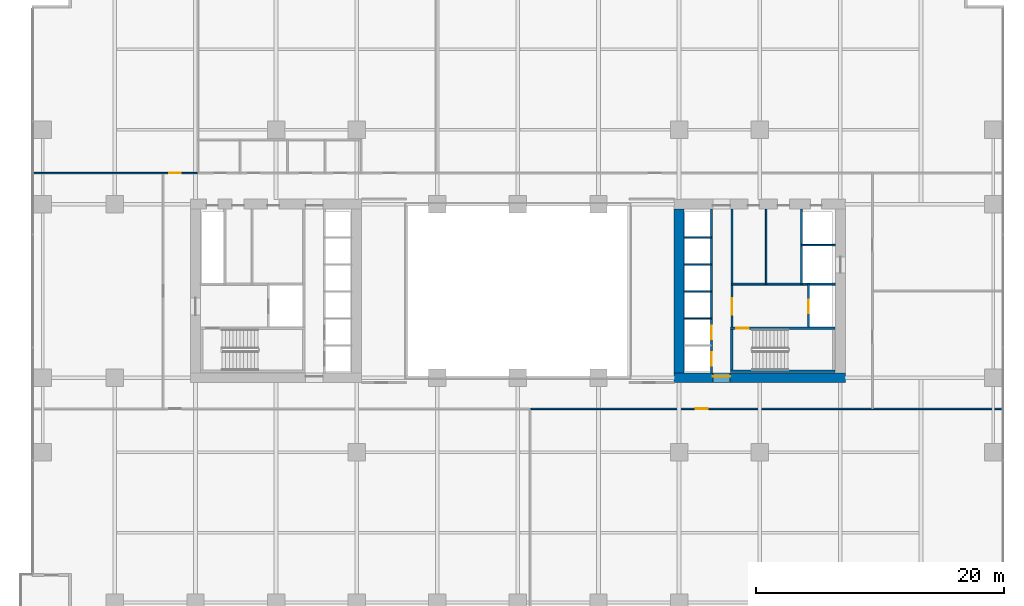
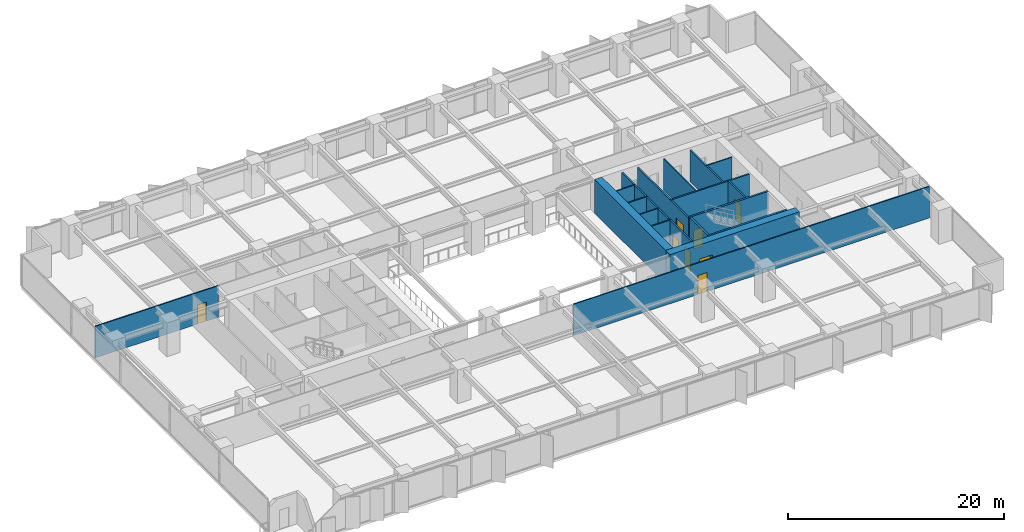
# One storey, part 14 of 20: 18 walls, 8 doors, 8 openings.
"""IFC4 building model written with IfcOpenShell, lengths in metres."""

from ifc_helpers import new_model, si_unit, direction, frame, frame_2d, origin, place, context, subcontext, project, spatial, rectangle, extrude, material, layer, layer_set, type_object, element, fill, save


model = new_model("IFC4")

# Units and contexts
model_context = context("Model", 3, precision=1e-05, world=origin(), true_north=direction((0.0, 1.0)))
body_context = subcontext(model_context, "Body", "Model", "MODEL_VIEW")
ifc_project = project(units=[si_unit("LENGTHUNIT", "METRE"), si_unit("AREAUNIT", "SQUARE_METRE"), si_unit("VOLUMEUNIT", "CUBIC_METRE"), si_unit("PLANEANGLEUNIT", "RADIAN"), si_unit("MASSUNIT", "GRAM", prefix="KILO")], contexts=[model_context])

# Site, building, storey
site_placement = place(None, origin())
site = spatial("IfcSite", under=ifc_project, at=site_placement, CompositionType="ELEMENT")
building_placement = place(site_placement, origin())
building = spatial("IfcBuilding", under=site, at=building_placement, Name="Putna Gate Headquarters", CompositionType="ELEMENT")
storey_placement = place(building_placement, frame((0.0, 0.0, 27.800048828125)))
storey = spatial("IfcBuildingStorey", under=building, at=storey_placement, Name="L05", CompositionType="ELEMENT", Elevation=27.800048828125)

# Wall, opening, door
ifc_material_1 = material(Name="Concrete C60/75", Category="concrete")
ifc_layer_1 = layer(ifc_material_1, 0.800048828125)
ifc_layer_set_1 = layer_set([ifc_layer_1], Name="Concrete C60/75")
wall_type_1 = type_object("IfcWallType", Name="WALL-CORE-800", PredefinedType="SHEAR", material=ifc_layer_set_1)
wall_1_placement = place(storey_placement, frame((51.60009765625, 19.0, 0.0), z_axis=(0.0, 0.0, 1.0), x_axis=(1.0, 0.0, 0.0)))
wall_1 = element("IfcWall", 1, at=wall_1_placement, inside=storey, type_object=wall_type_1, Name="L05 EC Split Core Shear Wall S", PredefinedType="SHEAR", context=body_context, shape_type="SweptSolid", body=[
    extrude(rectangle(XDim=13.7998046875, YDim=0.800048828125, at=frame_2d((6.89990234375, 0.0))), origin(), (0.0, 0.0, 1.0), 3.800048828125),
])
opening_1_placement = place(wall_1_placement, frame((3.1201171875, 0.0, 0.0)))
opening_1 = element("IfcOpeningElement", 2, at=opening_1_placement, cuts=wall_1, Name="Opening FDD-140", PredefinedType="OPENING", context=body_context, shape_type="SweptSolid", body=[
    extrude(rectangle(XDim=1.39990234375, YDim=2.199951171875, at=frame_2d((0.699951171875, 1.10009765625))), frame((0.0, 0.409912109375, 0.0), z_axis=(0.0, -1.0, 0.0), x_axis=(1.0, 0.0, 0.0)), (0.0, 0.0, 1.0), 0.820068359375),
])
ifc_material_2 = material(Name="Double steel fire door", Category="steel")
door_type_1 = type_object("IfcDoorType", Name="DOOR-FIRE-DBL-1400", OperationType="DOUBLE_DOOR_SINGLE_SWING", PredefinedType="DOOR", material=ifc_material_2)
door_1_placement = place(opening_1_placement, origin())
door_1 = element("IfcDoor", 3, at=door_1_placement, inside=storey, type_object=door_type_1, Name="L05 East Lift Lobby South Door", OperationType="DOUBLE_DOOR_SINGLE_SWING", OverallHeight=2.199951171875, OverallWidth=1.39990234375, PredefinedType="DOOR", context=body_context, shape_type="SweptSolid", body=[
    extrude(rectangle(XDim=1.39990234375, YDim=2.199951171875, at=frame_2d((0.699951171875, 1.10009765625))), frame((0.0, 0.125, 0.0), z_axis=(0.0, -1.0, 0.0), x_axis=(1.0, 0.0, 0.0)), (0.0, 0.0, 1.0), 0.050048828125),
])
fill(opening_1, door_1)

# Walls
wall_2_placement = place(storey_placement, frame((52.0, 19.39990234375, 0.0), z_axis=(0.0, 0.0, 1.0), x_axis=(0.0, 1.0, 0.0)))
element("IfcWall", 4, at=wall_2_placement, inside=storey, type_object=wall_type_1, Name="L05 EC Split Core Shear Wall W", PredefinedType="SHEAR", context=body_context, shape_type="SweptSolid", body=[
    extrude(rectangle(XDim=13.2001953125, YDim=0.800048828125, at=frame_2d((6.60009765625, 0.0))), origin(), (0.0, 0.0, 1.0), 3.800048828125),
])
ifc_material_3 = material(Name="Fire-rated shaftwall gypsum board on metal stud")
ifc_layer_2 = layer(ifc_material_3, 0.1201171875)
ifc_layer_set_2 = layer_set([ifc_layer_2], Name="Fire-rated shaftwall gypsum board on metal stud")
wall_type_2 = type_object("IfcWallType", Name="WALL-PART-120-EI120", PredefinedType="PARTITIONING", material=ifc_layer_set_2)
for number, where, z_axis, x_axis, name in (
    (5, (52.39990234375, 23.780029296875, 0.0), (0.0, 0.0, 1.0), (1.0, 0.0, 0.0), "L05 Interior Wall CWINT-L05-EC-LF04-DIV"),
    (6, (52.39990234375, 25.949951171875, 0.0), (0.0, 0.0, 1.0), (1.0, 0.0, 0.0), "L05 Interior Wall CWINT-L05-EC-LF07-DIV"),
    (7, (52.39990234375, 28.1201171875, 0.0), (0.0, 0.0, 1.0), (1.0, 0.0, 0.0), "L05 Interior Wall CWINT-L05-EC-LF08-DIV"),
    (8, (52.39990234375, 30.31005859375, 0.0), (0.0, 0.0, 1.0), (1.0, 0.0, 0.0), "L05 Interior Wall CWINT-L05-EC-LF11-DIV"),
):
    element("IfcWall", number, at=place(storey_placement, frame(where, z_axis=z_axis, x_axis=x_axis)), inside=storey, type_object=wall_type_2, Name=name, PredefinedType="PARTITIONING", context=body_context, shape_type="SweptSolid", body=[
        extrude(rectangle(XDim=2.2001953125, YDim=0.1201171875, at=frame_2d((1.10009765625, 0.0))), origin(), (0.0, 0.0, 1.0), 3.550048828125),
    ])
wall_3_placement = place(storey_placement, frame((61.8701171875, 29.699951171875, 0.0), z_axis=(0.0, 0.0, 1.0), x_axis=(1.0, 0.0, 0.0)))
element("IfcWall", 9, at=wall_3_placement, inside=storey, type_object=wall_type_2, Name="L05 Interior Wall CWINT-L05-EC-LF15-N", PredefinedType="PARTITIONING", context=body_context, shape_type="SweptSolid", body=[
    extrude(rectangle(XDim=2.72998046875, YDim=0.1201171875, at=frame_2d((1.364990234375, 0.0))), origin(), (0.0, 0.0, 1.0), 3.550048828125),
])
ifc_material_4 = material(Name="Fire-rated gypsum board on metal stud")
ifc_layer_3 = layer(ifc_material_4, 0.1201171875)
ifc_layer_set_3 = layer_set([ifc_layer_3], Name="Fire-rated gypsum board on metal stud")
wall_type_3 = type_object("IfcWallType", Name="WALL-PART-120-RATED", PredefinedType="PARTITIONING", material=ifc_layer_set_3)
wall_4_placement = place(storey_placement, frame((59.02001953125, 26.56005859375, 0.0), z_axis=(0.0, 0.0, 1.0), x_axis=(0.0, 1.0, 0.0)))
element("IfcWall", 10, at=wall_4_placement, inside=storey, type_object=wall_type_3, Name="L05 Interior Wall CWINT-L05-EC-K1-DIV", PredefinedType="PARTITIONING", context=body_context, shape_type="SweptSolid", body=[
    extrude(rectangle(XDim=6.0400390625, YDim=0.1201171875, at=frame_2d((3.02001953125, 0.0))), origin(), (0.0, 0.0, 1.0), 3.550048828125),
])

# Wall, opening, door
wall_5_placement = place(storey_placement, frame((-0.02001953125, 35.5, 0.0), z_axis=(0.0, 0.0, 1.0), x_axis=(1.0, 0.0, 0.0)))
wall_5 = element("IfcWall", 11, at=wall_5_placement, inside=storey, type_object=wall_type_3, Name="L05 Interior Wall PART-L05-NB-CW-01", PredefinedType="PARTITIONING", context=body_context, shape_type="SweptSolid", body=[
    extrude(rectangle(XDim=13.159912109375, YDim=0.1201171875, at=frame_2d((6.580078125, 0.0))), origin(), (0.0, 0.0, 1.0), 3.550048828125),
])
opening_2_placement = place(wall_5_placement, frame((10.89990234375, 0.0, 0.0)))
opening_2 = element("IfcOpeningElement", 12, at=opening_2_placement, cuts=wall_5, Name="Opening FD-95", PredefinedType="OPENING", context=body_context, shape_type="SweptSolid", body=[
    extrude(rectangle(XDim=0.949951171875, YDim=2.14990234375, at=frame_2d((0.47509765625, 1.074951171875))), frame((0.0, 0.070068359375, 0.0), z_axis=(0.0, -1.0, 0.0), x_axis=(1.0, 0.0, 0.0)), (0.0, 0.0, 1.0), 0.14013671875),
])
ifc_material_5 = material(Name="Acoustic timber fire door", Category="wood")
door_type_2 = type_object("IfcDoorType", Name="DOOR-FIRE-950", OperationType="NOTDEFINED", PredefinedType="DOOR", material=ifc_material_5)
door_2_placement = place(opening_2_placement, origin())
door_2 = element("IfcDoor", 13, at=door_2_placement, inside=storey, type_object=door_type_2, Name="L05 Cellular Office 1 Door", OperationType="SINGLE_SWING_LEFT", OverallHeight=2.14990234375, OverallWidth=0.949951171875, PredefinedType="DOOR", context=body_context, shape_type="SweptSolid", body=[
    extrude(rectangle(XDim=0.949951171875, YDim=2.14990234375, at=frame_2d((0.47509765625, 1.074951171875))), frame((0.0, 0.02490234375, 0.0), z_axis=(0.0, -1.0, 0.0), x_axis=(1.0, 0.0, 0.0)), (0.0, 0.0, 1.0), 0.050048828125),
])
fill(opening_2, door_2)

wall_6_placement = place(storey_placement, frame((40.043212890625, 16.5, 0.0), z_axis=(0.0, 0.0, 1.0), x_axis=(1.0, 0.0, 0.0)))
wall_6 = element("IfcWall", 14, at=wall_6_placement, inside=storey, type_object=wall_type_3, Name="L05 Interior Wall PART-L05-SB-CW-02", PredefinedType="PARTITIONING", context=body_context, shape_type="SweptSolid", body=[
    extrude(rectangle(XDim=37.976806640625, YDim=0.1201171875, at=frame_2d((18.98828125, 0.0))), origin(), (0.0, 0.0, 1.0), 3.550048828125),
])
opening_3_placement = place(wall_6_placement, frame((13.30322265625, 0.0, 0.0)))
opening_3 = element("IfcOpeningElement", 15, at=opening_3_placement, cuts=wall_6, Name="Opening FD-95", PredefinedType="OPENING", context=body_context, shape_type="SweptSolid", body=[
    extrude(rectangle(XDim=0.949951171875, YDim=2.14990234375, at=frame_2d((0.47509765625, 1.074951171875))), frame((0.0, 0.070068359375, 0.0), z_axis=(0.0, -1.0, 0.0), x_axis=(1.0, 0.0, 0.0)), (0.0, 0.0, 1.0), 0.14013671875),
])
door_3_placement = place(opening_3_placement, origin())
door_3 = element("IfcDoor", 16, at=door_3_placement, inside=storey, type_object=door_type_2, Name="L05 Quiet Wellness Focus Studio 2 Door", OperationType="SINGLE_SWING_LEFT", OverallHeight=2.14990234375, OverallWidth=0.949951171875, PredefinedType="DOOR", context=body_context, shape_type="SweptSolid", body=[
    extrude(rectangle(XDim=0.949951171875, YDim=2.14990234375, at=frame_2d((0.47509765625, 1.074951171875))), frame((0.0, 0.02490234375, 0.0), z_axis=(0.0, -1.0, 0.0), x_axis=(1.0, 0.0, 0.0)), (0.0, 0.0, 1.0), 0.050048828125),
])
fill(opening_3, door_3)

# Wall, openings, doors
ifc_material_6 = material(Name="Concrete C40/50", Category="concrete")
ifc_layer_4 = layer(ifc_material_6, 0.159912109375)
ifc_layer_set_4 = layer_set([ifc_layer_4], Name="Concrete C40/50")
wall_type_4 = type_object("IfcWallType", Name="WALL-SHAFT-160", PredefinedType="STANDARD", material=ifc_layer_set_4)
wall_7_placement = place(storey_placement, frame((54.60009765625, 19.39990234375, 0.0), z_axis=(0.0, 0.0, 1.0), x_axis=(0.0, 1.0, 0.0)))
wall_7 = element("IfcWall", 17, at=wall_7_placement, inside=storey, type_object=wall_type_4, Name="L05 Interior Wall CWINT-L05-EC-PL-WALL", PredefinedType="STANDARD", context=body_context, shape_type="SweptSolid", body=[
    extrude(rectangle(XDim=13.2001953125, YDim=0.159912109375, at=frame_2d((6.60009765625, 0.0))), origin(), (0.0, 0.0, 1.0), 3.550048828125),
])
opening_4_placement = place(wall_7_placement, frame((0.550048828125, 0.0, 0.0)))
opening_4 = element("IfcOpeningElement", 18, at=opening_4_placement, cuts=wall_7, Name="Opening LD-1", PredefinedType="OPENING", context=body_context, shape_type="SweptSolid", body=[
    extrude(rectangle(XDim=1.10009765625, YDim=2.199951171875, at=frame_2d((0.550048828125, 1.10009765625))), frame((0.0, 0.08984375, 0.0), z_axis=(0.0, -1.0, 0.0), x_axis=(1.0, 0.0, 0.0)), (0.0, 0.0, 1.0), 0.179931640625),
])
opening_5_placement = place(wall_7_placement, frame((2.699951171875, 0.0, 0.0)))
opening_5 = element("IfcOpeningElement", 19, at=opening_5_placement, cuts=wall_7, Name="Opening LD-1", PredefinedType="OPENING", context=body_context, shape_type="SweptSolid", body=[
    extrude(rectangle(XDim=1.10009765625, YDim=2.199951171875, at=frame_2d((0.550048828125, 1.10009765625))), frame((0.0, 0.08984375, 0.0), z_axis=(0.0, -1.0, 0.0), x_axis=(1.0, 0.0, 0.0)), (0.0, 0.0, 1.0), 0.179931640625),
])
ifc_material_7 = material(Name="Brushed bronze stainless lift landing door")
door_type_3 = type_object("IfcDoorType", Name="DOOR-LIFT-1100", OperationType="DOUBLE_DOOR_SLIDING", PredefinedType="DOOR", material=ifc_material_7)
door_4_placement = place(opening_4_placement, origin())
door_4 = element("IfcDoor", 20, at=door_4_placement, inside=storey, type_object=door_type_3, Name="L05 Lift Landing Door LD-03", OperationType="DOUBLE_DOOR_SLIDING", OverallHeight=2.199951171875, OverallWidth=1.10009765625, PredefinedType="DOOR", context=body_context, shape_type="SweptSolid", body=[
    extrude(rectangle(XDim=1.10009765625, YDim=2.199951171875, at=frame_2d((0.550048828125, 1.10009765625))), frame((0.0, 0.02490234375, 0.0), z_axis=(0.0, -1.0, 0.0), x_axis=(1.0, 0.0, 0.0)), (0.0, 0.0, 1.0), 0.050048828125),
])
fill(opening_4, door_4)
door_5_placement = place(opening_5_placement, origin())
door_5 = element("IfcDoor", 21, at=door_5_placement, inside=storey, type_object=door_type_3, Name="L05 Lift Landing Door LD-04", OperationType="DOUBLE_DOOR_SLIDING", OverallHeight=2.199951171875, OverallWidth=1.10009765625, PredefinedType="DOOR", context=body_context, shape_type="SweptSolid", body=[
    extrude(rectangle(XDim=1.10009765625, YDim=2.199951171875, at=frame_2d((0.550048828125, 1.10009765625))), frame((0.0, 0.02490234375, 0.0), z_axis=(0.0, -1.0, 0.0), x_axis=(1.0, 0.0, 0.0)), (0.0, 0.0, 1.0), 0.050048828125),
])
fill(opening_5, door_5)

# Wall, opening, door
wall_8_placement = place(storey_placement, frame((56.260009765625, 23.090087890625, 0.0), z_axis=(0.0, 0.0, 1.0), x_axis=(0.0, 1.0, 0.0)))
wall_8 = element("IfcWall", 22, at=wall_8_placement, inside=storey, type_object=wall_type_4, Name="L05 Interior Wall CWINT-L05-EC-LOB-E", PredefinedType="STANDARD", context=body_context, shape_type="SweptSolid", body=[
    extrude(rectangle(XDim=9.510009765625, YDim=0.159912109375, at=frame_2d((4.7548828125, 0.0))), origin(), (0.0, 0.0, 1.0), 3.550048828125),
])
opening_6_placement = place(wall_8_placement, frame((1.010009765625, 0.0, 0.0)))
opening_6 = element("IfcOpeningElement", 23, at=opening_6_placement, cuts=wall_8, Name="Opening FDD-130", PredefinedType="OPENING", context=body_context, shape_type="SweptSolid", body=[
    extrude(rectangle(XDim=1.300048828125, YDim=2.199951171875, at=frame_2d((0.64990234375, 1.10009765625))), frame((0.0, 0.08984375, 0.0), z_axis=(0.0, -1.0, 0.0), x_axis=(1.0, 0.0, 0.0)), (0.0, 0.0, 1.0), 0.179931640625),
])
ifc_material_8 = material(Name="Double steel lobby fire door", Category="steel")
door_type_4 = type_object("IfcDoorType", Name="DOOR-FIRE-DBL-1300", OperationType="DOUBLE_DOOR_SINGLE_SWING", PredefinedType="DOOR", material=ifc_material_8)
door_6_placement = place(opening_6_placement, origin())
door_6 = element("IfcDoor", 24, at=door_6_placement, inside=storey, type_object=door_type_4, Name="L05 East Firefighting Lobby Door", OperationType="DOUBLE_DOOR_SINGLE_SWING", OverallHeight=2.199951171875, OverallWidth=1.300048828125, PredefinedType="DOOR", context=body_context, shape_type="SweptSolid", body=[
    extrude(rectangle(XDim=1.300048828125, YDim=2.199951171875, at=frame_2d((0.64990234375, 1.10009765625))), frame((0.0, 0.02490234375, 0.0), z_axis=(0.0, -1.0, 0.0), x_axis=(1.0, 0.0, 0.0)), (0.0, 0.0, 1.0), 0.050048828125),
])
fill(opening_6, door_6)

wall_9_placement = place(storey_placement, frame((62.429931640625, 23.090087890625, 0.0), z_axis=(0.0, 0.0, 1.0), x_axis=(0.0, 1.0, 0.0)))
wall_9 = element("IfcWall", 25, at=wall_9_placement, inside=storey, type_object=wall_type_4, Name="L05 Interior Wall CWINT-L05-EC-LF14-W", PredefinedType="STANDARD", context=body_context, shape_type="SweptSolid", body=[
    extrude(rectangle(XDim=3.469970703125, YDim=0.159912109375, at=frame_2d((1.73486328125, 0.0))), origin(), (0.0, 0.0, 1.0), 3.550048828125),
])
opening_7_placement = place(wall_9_placement, frame((1.10009765625, 0.0, 0.0)))
opening_7 = element("IfcOpeningElement", 26, at=opening_7_placement, cuts=wall_9, Name="Opening LD-1", PredefinedType="OPENING", context=body_context, shape_type="SweptSolid", body=[
    extrude(rectangle(XDim=1.10009765625, YDim=2.199951171875, at=frame_2d((0.550048828125, 1.10009765625))), frame((0.0, 0.08984375, 0.0), z_axis=(0.0, -1.0, 0.0), x_axis=(1.0, 0.0, 0.0)), (0.0, 0.0, 1.0), 0.179931640625),
])
door_7_placement = place(opening_7_placement, origin())
door_7 = element("IfcDoor", 27, at=door_7_placement, inside=storey, type_object=door_type_3, Name="L05 Lift Landing Door LD-14", OperationType="DOUBLE_DOOR_SLIDING", OverallHeight=2.199951171875, OverallWidth=1.10009765625, PredefinedType="DOOR", context=body_context, shape_type="SweptSolid", body=[
    extrude(rectangle(XDim=1.10009765625, YDim=2.199951171875, at=frame_2d((0.550048828125, 1.10009765625))), frame((0.0, 0.02490234375, 0.0), z_axis=(0.0, -1.0, 0.0), x_axis=(1.0, 0.0, 0.0)), (0.0, 0.0, 1.0), 0.050048828125),
])
fill(opening_7, door_7)

# Walls
wall_10_placement = place(storey_placement, frame((56.260009765625, 26.56005859375, 0.0), z_axis=(0.0, 0.0, 1.0), x_axis=(1.0, 0.0, 0.0)))
element("IfcWall", 28, at=wall_10_placement, inside=storey, type_object=wall_type_4, Name="L05 Interior Wall CWINT-L05-EC-FFL-N", PredefinedType="STANDARD", context=body_context, shape_type="SweptSolid", body=[
    extrude(rectangle(XDim=8.340087890625, YDim=0.159912109375, at=frame_2d((4.169921875, 0.0))), origin(), (0.0, 0.0, 1.0), 3.550048828125),
])
wall_11_placement = place(storey_placement, frame((61.8701171875, 26.56005859375, 0.0), z_axis=(0.0, 0.0, 1.0), x_axis=(0.0, 1.0, 0.0)))
element("IfcWall", 29, at=wall_11_placement, inside=storey, type_object=wall_type_4, Name="L05 Interior Wall CWINT-L05-EC-LF15-W", PredefinedType="STANDARD", context=body_context, shape_type="SweptSolid", body=[
    extrude(rectangle(XDim=6.0400390625, YDim=0.159912109375, at=frame_2d((3.02001953125, 0.0))), origin(), (0.0, 0.0, 1.0), 3.550048828125),
])
ifc_layer_5 = layer(ifc_material_6, 0.199951171875)
ifc_layer_set_5 = layer_set([ifc_layer_5], Name="Concrete C40/50")
wall_type_5 = type_object("IfcWallType", Name="WALL-SHAFT-RC200", PredefinedType="SHEAR", material=ifc_layer_set_5)
wall_12_placement = place(storey_placement, frame((56.159912109375, 19.510009765625, 0.0), z_axis=(0.0, 0.0, 1.0), x_axis=(1.0, 0.0, 0.0)))
element("IfcWall", 30, at=wall_12_placement, inside=storey, type_object=wall_type_5, Name="L05 Stair ST2 Structural Shaft Wall S", PredefinedType="SHEAR", context=body_context, shape_type="SweptSolid", body=[
    extrude(rectangle(XDim=8.43017578125, YDim=0.199951171875, at=frame_2d((4.215087890625, 0.0))), origin(), (0.0, 0.0, 1.0), 3.800048828125),
])

# Wall, opening, door
wall_13_placement = place(storey_placement, frame((56.159912109375, 22.989990234375, 0.0), z_axis=(0.0, 0.0, 1.0), x_axis=(1.0, 0.0, 0.0)))
wall_13 = element("IfcWall", 31, at=wall_13_placement, inside=storey, type_object=wall_type_5, Name="L05 Stair ST2 Structural Shaft Wall N", PredefinedType="SHEAR", context=body_context, shape_type="SweptSolid", body=[
    extrude(rectangle(XDim=8.43017578125, YDim=0.199951171875, at=frame_2d((4.215087890625, 0.0))), origin(), (0.0, 0.0, 1.0), 3.800048828125),
])
opening_8_placement = place(wall_13_placement, frame((0.449951171875, 0.0, 0.0)))
opening_8 = element("IfcOpeningElement", 32, at=opening_8_placement, cuts=wall_13, Name="Opening FD-100", PredefinedType="OPENING", context=body_context, shape_type="SweptSolid", body=[
    extrude(rectangle(XDim=1.0, YDim=2.14990234375, at=frame_2d((0.5, 1.074951171875))), frame((0.0, 0.10986328125, 0.0), z_axis=(0.0, -1.0, 0.0), x_axis=(1.0, 0.0, 0.0)), (0.0, 0.0, 1.0), 0.219970703125),
])
ifc_material_9 = material(Name="Powder-coated steel fire door", Category="steel")
door_type_5 = type_object("IfcDoorType", Name="DOOR-FIRE-1000", OperationType="NOTDEFINED", PredefinedType="DOOR", material=ifc_material_9)
door_8_placement = place(opening_8_placement, origin())
door_8 = element("IfcDoor", 33, at=door_8_placement, inside=storey, type_object=door_type_5, Name="L05 Stair ST2 Fire Door", OperationType="SINGLE_SWING_RIGHT", OverallHeight=2.14990234375, OverallWidth=1.0, PredefinedType="DOOR", context=body_context, shape_type="SweptSolid", body=[
    extrude(rectangle(XDim=1.0, YDim=2.14990234375, at=frame_2d((0.5, 1.074951171875))), frame((0.0, 0.02490234375, 0.0), z_axis=(0.0, -1.0, 0.0), x_axis=(1.0, 0.0, 0.0)), (0.0, 0.0, 1.0), 0.050048828125),
])
fill(opening_8, door_8)

# Wall
wall_14_placement = place(storey_placement, frame((56.260009765625, 19.610107421875, 0.0), z_axis=(0.0, 0.0, 1.0), x_axis=(0.0, 1.0, 0.0)))
element("IfcWall", 34, at=wall_14_placement, inside=storey, type_object=wall_type_5, Name="L05 Stair ST2 Structural Shaft Wall W", PredefinedType="SHEAR", context=body_context, shape_type="SweptSolid", body=[
    extrude(rectangle(XDim=3.27978515625, YDim=0.199951171875, at=frame_2d((1.639892578125, 0.0))), origin(), (0.0, 0.0, 1.0), 3.800048828125),
])

save(model, "model.ifc")
